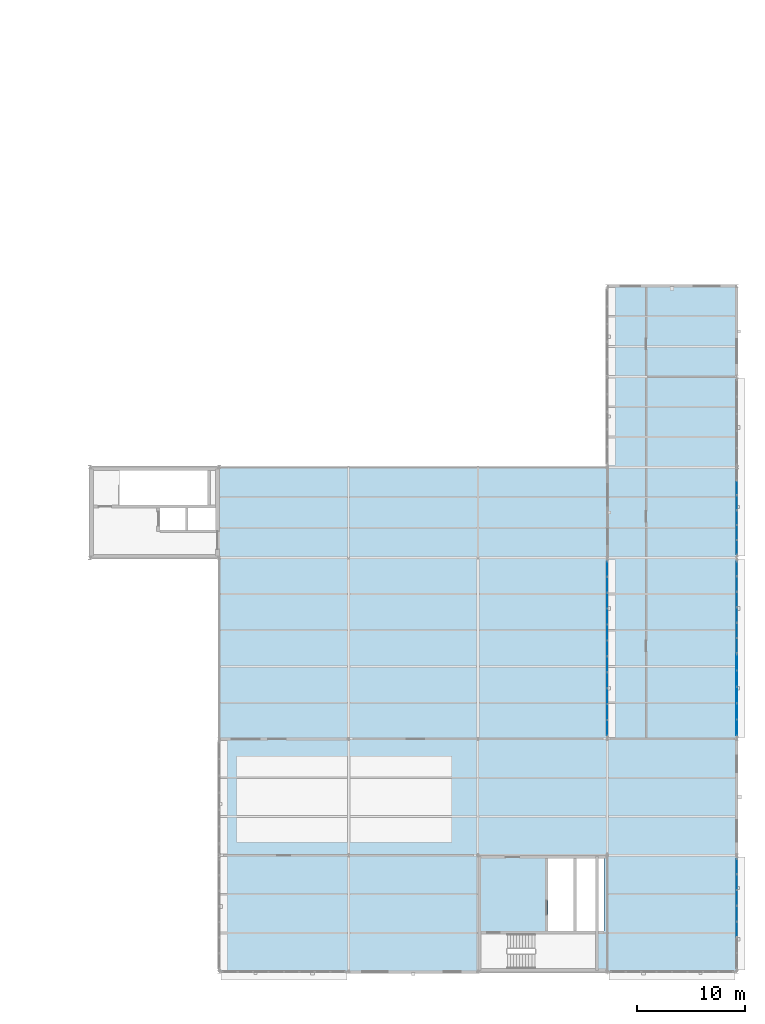
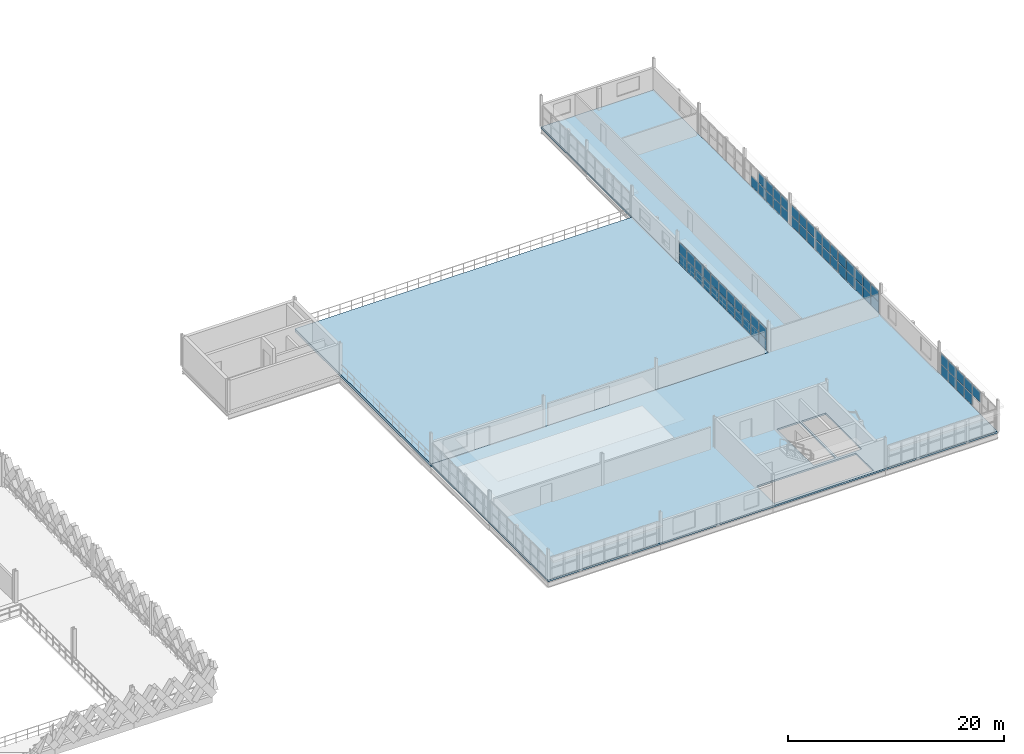
# One storey, part 49 of 74: 62 plates, 2 slabs, 5 elements without a shape of their own.
"""IFC4 building model written with IfcOpenShell, lengths in metres."""

from ifc_helpers import new_model, si_unit, direction, frame, origin, origin_2d, place, context, subcontext, project, spatial, polyline, rectangle, outline, extrude, material, layer, layer_set, type_object, element, aggregate, save


model = new_model("IFC4")

# Units and contexts
model_context = context("Model", 3, precision=1e-05, world=origin(), true_north=direction((0.0, 1.0)))
body_context = subcontext(model_context, "Body", "Model", "MODEL_VIEW")
ifc_project = project(units=[si_unit("LENGTHUNIT", "METRE"), si_unit("AREAUNIT", "SQUARE_METRE"), si_unit("VOLUMEUNIT", "CUBIC_METRE"), si_unit("PLANEANGLEUNIT", "RADIAN"), si_unit("MASSUNIT", "GRAM", prefix="KILO"), si_unit("THERMODYNAMICTEMPERATUREUNIT", "KELVIN"), si_unit("POWERUNIT", "WATT")], contexts=[model_context])

# Site, building, storey
site_placement = place(None, origin())
site = spatial("IfcSite", under=ifc_project, at=site_placement, CompositionType="ELEMENT")
building_placement = place(site_placement, origin())
building = spatial("IfcBuilding", under=site, at=building_placement, Name="Tembeka Court Mobility Hub", CompositionType="ELEMENT")
storey_placement = place(building_placement, frame((0.0, 0.0, 12.60009765625)))
storey = spatial("IfcBuildingStorey", under=building, at=storey_placement, Name="L03", CompositionType="ELEMENT", Elevation=12.60009765625)

# Curtain wall, plates
ifc_material_1 = material(Name="Anodised aluminium 6063-T6", Category="aluminium")
ifc_layer_1 = layer(ifc_material_1, 0.159912109375)
ifc_layer_set_1 = layer_set([ifc_layer_1], Name="Anodised aluminium 6063-T6")
curtain_wall_type_1 = type_object("IfcCurtainWallType", Name="CW-SYS42", PredefinedType="USERDEFINED", material=ifc_layer_set_1)
curtain_wall_1_placement = place(storey_placement, origin())
curtain_wall_1 = element("IfcCurtainWall", 1, at=curtain_wall_1_placement, inside=storey, type_object=curtain_wall_type_1, Name="Unitised curtain wall CW42 (CW-L03-135)", ObjectType="UNITISED GLAZING", PredefinedType="USERDEFINED")
ifc_material_2 = material(Name="Laminated solar-control low-E glass", Category="glass")
ifc_layer_2 = layer(ifc_material_2, 0.028076171875)
ifc_layer_set_2 = layer_set([ifc_layer_2], Name="Laminated solar-control low-E glass")
plate_type_1 = type_object("IfcPlateType", Name="PL-CW01", PredefinedType="CURTAIN_PANEL", material=ifc_layer_set_2)
plate_1_placement = place(storey_placement, frame((176.39990234375, 3.937255859375, 1.300048828125), z_axis=(0.0, 0.0, 1.0), x_axis=(0.0, 1.0, 0.0)))
plate_1 = element("IfcPlate", 2, at=plate_1_placement, type_object=plate_type_1, Name="CW42 panel 3.2", PredefinedType="CURTAIN_PANEL", context=body_context, shape_type="SweptSolid", body=[
    extrude(rectangle(XDim=1.39794921875, YDim=0.028076171875, at=origin_2d()), origin(), (0.0, 0.0, 1.0), 1.169921875),
])
plate_2_placement = place(storey_placement, frame((176.39990234375, 5.39990234375, 0.06494140625), z_axis=(0.0, 0.0, 1.0), x_axis=(0.0, 1.0, 0.0)))
plate_2 = element("IfcPlate", 3, at=plate_2_placement, type_object=plate_type_1, Name="CW42 panel 4.1", PredefinedType="CURTAIN_PANEL", context=body_context, shape_type="SweptSolid", body=[
    extrude(rectangle(XDim=1.39794921875, YDim=0.028076171875, at=origin_2d()), origin(), (0.0, 0.0, 1.0), 1.169921875),
])
plate_3_placement = place(storey_placement, frame((176.39990234375, 5.39990234375, 1.300048828125), z_axis=(0.0, 0.0, 1.0), x_axis=(0.0, 1.0, 0.0)))
plate_3 = element("IfcPlate", 4, at=plate_3_placement, type_object=plate_type_1, Name="CW42 panel 4.2", PredefinedType="CURTAIN_PANEL", context=body_context, shape_type="SweptSolid", body=[
    extrude(rectangle(XDim=1.39794921875, YDim=0.028076171875, at=origin_2d()), origin(), (0.0, 0.0, 1.0), 1.169921875),
])
plate_4_placement = place(storey_placement, frame((176.39990234375, 6.86279296875, 0.06494140625), z_axis=(0.0, 0.0, 1.0), x_axis=(0.0, 1.0, 0.0)))
plate_4 = element("IfcPlate", 5, at=plate_4_placement, type_object=plate_type_1, Name="CW42 panel 5.1", PredefinedType="CURTAIN_PANEL", context=body_context, shape_type="SweptSolid", body=[
    extrude(rectangle(XDim=1.39794921875, YDim=0.028076171875, at=origin_2d()), origin(), (0.0, 0.0, 1.0), 1.169921875),
])
plate_5_placement = place(storey_placement, frame((176.39990234375, 6.86279296875, 1.300048828125), z_axis=(0.0, 0.0, 1.0), x_axis=(0.0, 1.0, 0.0)))
plate_5 = element("IfcPlate", 6, at=plate_5_placement, type_object=plate_type_1, Name="CW42 panel 5.2", PredefinedType="CURTAIN_PANEL", context=body_context, shape_type="SweptSolid", body=[
    extrude(rectangle(XDim=1.39794921875, YDim=0.028076171875, at=origin_2d()), origin(), (0.0, 0.0, 1.0), 1.169921875),
])
plate_6_placement = place(storey_placement, frame((176.39990234375, 8.32568359375, 0.06494140625), z_axis=(0.0, 0.0, 1.0), x_axis=(0.0, 1.0, 0.0)))
plate_6 = element("IfcPlate", 7, at=plate_6_placement, type_object=plate_type_1, Name="CW42 panel 6.1", PredefinedType="CURTAIN_PANEL", context=body_context, shape_type="SweptSolid", body=[
    extrude(rectangle(XDim=1.39794921875, YDim=0.028076171875, at=origin_2d()), origin(), (0.0, 0.0, 1.0), 1.169921875),
])
plate_7_placement = place(storey_placement, frame((176.39990234375, 8.32568359375, 1.300048828125), z_axis=(0.0, 0.0, 1.0), x_axis=(0.0, 1.0, 0.0)))
plate_7 = element("IfcPlate", 8, at=plate_7_placement, type_object=plate_type_1, Name="CW42 panel 6.2", PredefinedType="CURTAIN_PANEL", context=body_context, shape_type="SweptSolid", body=[
    extrude(rectangle(XDim=1.39794921875, YDim=0.028076171875, at=origin_2d()), origin(), (0.0, 0.0, 1.0), 1.169921875),
])
plate_8_placement = place(storey_placement, frame((176.39990234375, 9.772216796875, 0.06494140625), z_axis=(0.0, 0.0, 1.0), x_axis=(0.0, 1.0, 0.0)))
plate_8 = element("IfcPlate", 9, at=plate_8_placement, type_object=plate_type_1, Name="CW42 panel 7.1", PredefinedType="CURTAIN_PANEL", context=body_context, shape_type="SweptSolid", body=[
    extrude(rectangle(XDim=1.365478515625, YDim=0.028076171875, at=origin_2d()), origin(), (0.0, 0.0, 1.0), 1.169921875),
])
plate_9_placement = place(storey_placement, frame((176.39990234375, 9.772216796875, 1.300048828125), z_axis=(0.0, 0.0, 1.0), x_axis=(0.0, 1.0, 0.0)))
plate_9 = element("IfcPlate", 10, at=plate_9_placement, type_object=plate_type_1, Name="CW42 panel 7.2", PredefinedType="CURTAIN_PANEL", context=body_context, shape_type="SweptSolid", body=[
    extrude(rectangle(XDim=1.365478515625, YDim=0.028076171875, at=origin_2d()), origin(), (0.0, 0.0, 1.0), 1.169921875),
])
aggregate(curtain_wall_1, [plate_1, plate_2, plate_3, plate_4, plate_5, plate_6, plate_7, plate_8, plate_9])

ifc_layer_3 = layer(ifc_material_1, 0.159912109375)
ifc_layer_set_3 = layer_set([ifc_layer_3], Name="Anodised aluminium 6063-T6")
curtain_wall_type_2 = type_object("IfcCurtainWallType", Name="CW-SYS52", PredefinedType="USERDEFINED", material=ifc_layer_set_3)
curtain_wall_2_placement = place(storey_placement, origin())
curtain_wall_2 = element("IfcCurtainWall", 11, at=curtain_wall_2_placement, inside=storey, type_object=curtain_wall_type_2, Name="Unitised curtain wall CW52 (CW-L03-137)", ObjectType="UNITISED GLAZING", PredefinedType="USERDEFINED")
plate_10_placement = place(storey_placement, frame((176.39990234375, 30.249267578125, 0.06494140625), z_axis=(0.0, 0.0, 1.0), x_axis=(0.0, 1.0, 0.0)))
plate_10 = element("IfcPlate", 12, at=plate_10_placement, type_object=plate_type_1, Name="CW52 panel 1.1", PredefinedType="CURTAIN_PANEL", context=body_context, shape_type="SweptSolid", body=[
    extrude(rectangle(XDim=1.33642578125, YDim=0.028076171875, at=origin_2d()), origin(), (0.0, 0.0, 1.0), 1.169921875),
])
plate_11_placement = place(storey_placement, frame((176.39990234375, 30.249267578125, 1.300048828125), z_axis=(0.0, 0.0, 1.0), x_axis=(0.0, 1.0, 0.0)))
plate_11 = element("IfcPlate", 13, at=plate_11_placement, type_object=plate_type_1, Name="CW52 panel 1.2", PredefinedType="CURTAIN_PANEL", context=body_context, shape_type="SweptSolid", body=[
    extrude(rectangle(XDim=1.33642578125, YDim=0.028076171875, at=origin_2d()), origin(), (0.0, 0.0, 1.0), 1.169921875),
])
plate_12_placement = place(storey_placement, frame((176.39990234375, 31.6669921875, 0.06494140625), z_axis=(0.0, 0.0, 1.0), x_axis=(0.0, 1.0, 0.0)))
plate_12 = element("IfcPlate", 14, at=plate_12_placement, type_object=plate_type_1, Name="CW52 panel 2.1", PredefinedType="CURTAIN_PANEL", context=body_context, shape_type="SweptSolid", body=[
    extrude(rectangle(XDim=1.368896484375, YDim=0.028076171875, at=origin_2d()), origin(), (0.0, 0.0, 1.0), 1.169921875),
])
plate_13_placement = place(storey_placement, frame((176.39990234375, 31.6669921875, 1.300048828125), z_axis=(0.0, 0.0, 1.0), x_axis=(0.0, 1.0, 0.0)))
plate_13 = element("IfcPlate", 15, at=plate_13_placement, type_object=plate_type_1, Name="CW52 panel 2.2", PredefinedType="CURTAIN_PANEL", context=body_context, shape_type="SweptSolid", body=[
    extrude(rectangle(XDim=1.368896484375, YDim=0.028076171875, at=origin_2d()), origin(), (0.0, 0.0, 1.0), 1.169921875),
])
plate_14_placement = place(storey_placement, frame((176.39990234375, 33.10107421875, 0.06494140625), z_axis=(0.0, 0.0, 1.0), x_axis=(0.0, 1.0, 0.0)))
plate_14 = element("IfcPlate", 16, at=plate_14_placement, type_object=plate_type_1, Name="CW52 panel 3.1", PredefinedType="CURTAIN_PANEL", context=body_context, shape_type="SweptSolid", body=[
    extrude(rectangle(XDim=1.368896484375, YDim=0.028076171875, at=origin_2d()), origin(), (0.0, 0.0, 1.0), 1.169921875),
])
plate_15_placement = place(storey_placement, frame((176.39990234375, 33.10107421875, 1.300048828125), z_axis=(0.0, 0.0, 1.0), x_axis=(0.0, 1.0, 0.0)))
plate_15 = element("IfcPlate", 17, at=plate_15_placement, type_object=plate_type_1, Name="CW52 panel 3.2", PredefinedType="CURTAIN_PANEL", context=body_context, shape_type="SweptSolid", body=[
    extrude(rectangle(XDim=1.368896484375, YDim=0.028076171875, at=origin_2d()), origin(), (0.0, 0.0, 1.0), 1.169921875),
])
plate_16_placement = place(storey_placement, frame((176.39990234375, 34.534912109375, 0.06494140625), z_axis=(0.0, 0.0, 1.0), x_axis=(0.0, 1.0, 0.0)))
plate_16 = element("IfcPlate", 18, at=plate_16_placement, type_object=plate_type_1, Name="CW52 panel 4.1", PredefinedType="CURTAIN_PANEL", context=body_context, shape_type="SweptSolid", body=[
    extrude(rectangle(XDim=1.368896484375, YDim=0.028076171875, at=origin_2d()), origin(), (0.0, 0.0, 1.0), 1.169921875),
])
plate_17_placement = place(storey_placement, frame((176.39990234375, 34.534912109375, 1.300048828125), z_axis=(0.0, 0.0, 1.0), x_axis=(0.0, 1.0, 0.0)))
plate_17 = element("IfcPlate", 19, at=plate_17_placement, type_object=plate_type_1, Name="CW52 panel 4.2", PredefinedType="CURTAIN_PANEL", context=body_context, shape_type="SweptSolid", body=[
    extrude(rectangle(XDim=1.368896484375, YDim=0.028076171875, at=origin_2d()), origin(), (0.0, 0.0, 1.0), 1.169921875),
])
plate_18_placement = place(storey_placement, frame((176.39990234375, 35.968994140625, 0.06494140625), z_axis=(0.0, 0.0, 1.0), x_axis=(0.0, 1.0, 0.0)))
plate_18 = element("IfcPlate", 20, at=plate_18_placement, type_object=plate_type_1, Name="CW52 panel 5.1", PredefinedType="CURTAIN_PANEL", context=body_context, shape_type="SweptSolid", body=[
    extrude(rectangle(XDim=1.368896484375, YDim=0.028076171875, at=origin_2d()), origin(), (0.0, 0.0, 1.0), 1.169921875),
])
plate_19_placement = place(storey_placement, frame((176.39990234375, 35.968994140625, 1.300048828125), z_axis=(0.0, 0.0, 1.0), x_axis=(0.0, 1.0, 0.0)))
plate_19 = element("IfcPlate", 21, at=plate_19_placement, type_object=plate_type_1, Name="CW52 panel 5.2", PredefinedType="CURTAIN_PANEL", context=body_context, shape_type="SweptSolid", body=[
    extrude(rectangle(XDim=1.368896484375, YDim=0.028076171875, at=origin_2d()), origin(), (0.0, 0.0, 1.0), 1.169921875),
])
plate_20_placement = place(storey_placement, frame((176.39990234375, 37.38671875, 0.06494140625), z_axis=(0.0, 0.0, 1.0), x_axis=(0.0, 1.0, 0.0)))
plate_20 = element("IfcPlate", 22, at=plate_20_placement, type_object=plate_type_1, Name="CW52 panel 6.1", PredefinedType="CURTAIN_PANEL", context=body_context, shape_type="SweptSolid", body=[
    extrude(rectangle(XDim=1.33642578125, YDim=0.028076171875, at=origin_2d()), origin(), (0.0, 0.0, 1.0), 1.169921875),
])
plate_21_placement = place(storey_placement, frame((176.39990234375, 37.38671875, 1.300048828125), z_axis=(0.0, 0.0, 1.0), x_axis=(0.0, 1.0, 0.0)))
plate_21 = element("IfcPlate", 23, at=plate_21_placement, type_object=plate_type_1, Name="CW52 panel 6.2", PredefinedType="CURTAIN_PANEL", context=body_context, shape_type="SweptSolid", body=[
    extrude(rectangle(XDim=1.33642578125, YDim=0.028076171875, at=origin_2d()), origin(), (0.0, 0.0, 1.0), 1.169921875),
])
aggregate(curtain_wall_2, [plate_10, plate_11, plate_12, plate_13, plate_14, plate_15, plate_16, plate_17, plate_18, plate_19, plate_20, plate_21])

ifc_layer_4 = layer(ifc_material_1, 0.159912109375)
ifc_layer_set_4 = layer_set([ifc_layer_4], Name="Anodised aluminium 6063-T6")
curtain_wall_type_3 = type_object("IfcCurtainWallType", Name="CW-SYS53", PredefinedType="USERDEFINED", material=ifc_layer_set_4)
curtain_wall_3_placement = place(storey_placement, origin())
curtain_wall_3 = element("IfcCurtainWall", 24, at=curtain_wall_3_placement, inside=storey, type_object=curtain_wall_type_3, Name="Unitised curtain wall CW53 (CW-L03-138)", ObjectType="UNITISED GLAZING", PredefinedType="USERDEFINED")
plate_22_placement = place(storey_placement, frame((176.39990234375, 39.38525390625, 0.06494140625), z_axis=(0.0, 0.0, 1.0), x_axis=(0.0, 1.0, 0.0)))
plate_22 = element("IfcPlate", 25, at=plate_22_placement, type_object=plate_type_1, Name="CW53 panel 1.1", PredefinedType="CURTAIN_PANEL", context=body_context, shape_type="SweptSolid", body=[
    extrude(rectangle(XDim=1.280517578125, YDim=0.028076171875, at=origin_2d()), origin(), (0.0, 0.0, 1.0), 1.169921875),
])
plate_23_placement = place(storey_placement, frame((176.39990234375, 39.38525390625, 1.300048828125), z_axis=(0.0, 0.0, 1.0), x_axis=(0.0, 1.0, 0.0)))
plate_23 = element("IfcPlate", 26, at=plate_23_placement, type_object=plate_type_1, Name="CW53 panel 1.2", PredefinedType="CURTAIN_PANEL", context=body_context, shape_type="SweptSolid", body=[
    extrude(rectangle(XDim=1.280517578125, YDim=0.028076171875, at=origin_2d()), origin(), (0.0, 0.0, 1.0), 1.169921875),
])
plate_24_placement = place(storey_placement, frame((176.39990234375, 40.7470703125, 0.06494140625), z_axis=(0.0, 0.0, 1.0), x_axis=(0.0, 1.0, 0.0)))
plate_24 = element("IfcPlate", 27, at=plate_24_placement, type_object=plate_type_1, Name="CW53 panel 2.1", PredefinedType="CURTAIN_PANEL", context=body_context, shape_type="SweptSolid", body=[
    extrude(rectangle(XDim=1.31298828125, YDim=0.028076171875, at=origin_2d()), origin(), (0.0, 0.0, 1.0), 1.169921875),
])
plate_25_placement = place(storey_placement, frame((176.39990234375, 40.7470703125, 1.300048828125), z_axis=(0.0, 0.0, 1.0), x_axis=(0.0, 1.0, 0.0)))
plate_25 = element("IfcPlate", 28, at=plate_25_placement, type_object=plate_type_1, Name="CW53 panel 2.2", PredefinedType="CURTAIN_PANEL", context=body_context, shape_type="SweptSolid", body=[
    extrude(rectangle(XDim=1.31298828125, YDim=0.028076171875, at=origin_2d()), origin(), (0.0, 0.0, 1.0), 1.169921875),
])
plate_26_placement = place(storey_placement, frame((176.39990234375, 42.125, 0.06494140625), z_axis=(0.0, 0.0, 1.0), x_axis=(0.0, 1.0, 0.0)))
plate_26 = element("IfcPlate", 29, at=plate_26_placement, type_object=plate_type_1, Name="CW53 panel 3.1", PredefinedType="CURTAIN_PANEL", context=body_context, shape_type="SweptSolid", body=[
    extrude(rectangle(XDim=1.31298828125, YDim=0.028076171875, at=origin_2d()), origin(), (0.0, 0.0, 1.0), 1.169921875),
])
plate_27_placement = place(storey_placement, frame((176.39990234375, 42.125, 1.300048828125), z_axis=(0.0, 0.0, 1.0), x_axis=(0.0, 1.0, 0.0)))
plate_27 = element("IfcPlate", 30, at=plate_27_placement, type_object=plate_type_1, Name="CW53 panel 3.2", PredefinedType="CURTAIN_PANEL", context=body_context, shape_type="SweptSolid", body=[
    extrude(rectangle(XDim=1.31298828125, YDim=0.028076171875, at=origin_2d()), origin(), (0.0, 0.0, 1.0), 1.169921875),
])
plate_28_placement = place(storey_placement, frame((176.39990234375, 43.5029296875, 0.06494140625), z_axis=(0.0, 0.0, 1.0), x_axis=(0.0, 1.0, 0.0)))
plate_28 = element("IfcPlate", 31, at=plate_28_placement, type_object=plate_type_1, Name="CW53 panel 4.1", PredefinedType="CURTAIN_PANEL", context=body_context, shape_type="SweptSolid", body=[
    extrude(rectangle(XDim=1.31298828125, YDim=0.028076171875, at=origin_2d()), origin(), (0.0, 0.0, 1.0), 1.169921875),
])
plate_29_placement = place(storey_placement, frame((176.39990234375, 43.5029296875, 1.300048828125), z_axis=(0.0, 0.0, 1.0), x_axis=(0.0, 1.0, 0.0)))
plate_29 = element("IfcPlate", 32, at=plate_29_placement, type_object=plate_type_1, Name="CW53 panel 4.2", PredefinedType="CURTAIN_PANEL", context=body_context, shape_type="SweptSolid", body=[
    extrude(rectangle(XDim=1.31298828125, YDim=0.028076171875, at=origin_2d()), origin(), (0.0, 0.0, 1.0), 1.169921875),
])
plate_30_placement = place(storey_placement, frame((176.39990234375, 44.881103515625, 0.06494140625), z_axis=(0.0, 0.0, 1.0), x_axis=(0.0, 1.0, 0.0)))
plate_30 = element("IfcPlate", 33, at=plate_30_placement, type_object=plate_type_1, Name="CW53 panel 5.1", PredefinedType="CURTAIN_PANEL", context=body_context, shape_type="SweptSolid", body=[
    extrude(rectangle(XDim=1.31298828125, YDim=0.028076171875, at=origin_2d()), origin(), (0.0, 0.0, 1.0), 1.169921875),
])
aggregate(curtain_wall_3, [plate_22, plate_23, plate_24, plate_25, plate_26, plate_27, plate_28, plate_29, plate_30])

ifc_layer_5 = layer(ifc_material_1, 0.159912109375)
ifc_layer_set_5 = layer_set([ifc_layer_5], Name="Anodised aluminium 6063-T6")
curtain_wall_type_4 = type_object("IfcCurtainWallType", Name="CW-SYS46", PredefinedType="USERDEFINED", material=ifc_layer_set_5)
curtain_wall_4_placement = place(storey_placement, origin())
curtain_wall_4 = element("IfcCurtainWall", 34, at=curtain_wall_4_placement, inside=storey, type_object=curtain_wall_type_4, Name="Unitised curtain wall CW46 (CW-L03-141)", ObjectType="UNITISED GLAZING", PredefinedType="USERDEFINED")
plate_31_placement = place(storey_placement, frame((164.39990234375, 22.634521484375, 0.06494140625), z_axis=(0.0, 0.0, 1.0), x_axis=(0.0, 1.0, 0.0)))
plate_31 = element("IfcPlate", 35, at=plate_31_placement, type_object=plate_type_1, Name="CW46 panel 1.1", PredefinedType="CURTAIN_PANEL", context=body_context, shape_type="SweptSolid", body=[
    extrude(rectangle(XDim=1.37890625, YDim=0.028076171875, at=origin_2d()), origin(), (0.0, 0.0, 1.0), 1.169921875),
])
plate_32_placement = place(storey_placement, frame((164.39990234375, 22.634521484375, 1.300048828125), z_axis=(0.0, 0.0, 1.0), x_axis=(0.0, 1.0, 0.0)))
plate_32 = element("IfcPlate", 36, at=plate_32_placement, type_object=plate_type_1, Name="CW46 panel 1.2", PredefinedType="CURTAIN_PANEL", context=body_context, shape_type="SweptSolid", body=[
    extrude(rectangle(XDim=1.37890625, YDim=0.028076171875, at=origin_2d()), origin(), (0.0, 0.0, 1.0), 1.169921875),
])
plate_33_placement = place(storey_placement, frame((164.39990234375, 24.094482421875, 0.06494140625), z_axis=(0.0, 0.0, 1.0), x_axis=(0.0, 1.0, 0.0)))
plate_33 = element("IfcPlate", 37, at=plate_33_placement, type_object=plate_type_1, Name="CW46 panel 2.1", PredefinedType="CURTAIN_PANEL", context=body_context, shape_type="SweptSolid", body=[
    extrude(rectangle(XDim=1.411376953125, YDim=0.028076171875, at=origin_2d()), origin(), (0.0, 0.0, 1.0), 1.169921875),
])
plate_34_placement = place(storey_placement, frame((164.39990234375, 24.094482421875, 1.300048828125), z_axis=(0.0, 0.0, 1.0), x_axis=(0.0, 1.0, 0.0)))
plate_34 = element("IfcPlate", 38, at=plate_34_placement, type_object=plate_type_1, Name="CW46 panel 2.2", PredefinedType="CURTAIN_PANEL", context=body_context, shape_type="SweptSolid", body=[
    extrude(rectangle(XDim=1.411376953125, YDim=0.028076171875, at=origin_2d()), origin(), (0.0, 0.0, 1.0), 1.169921875),
])
plate_35_placement = place(storey_placement, frame((164.39990234375, 25.57080078125, 0.06494140625), z_axis=(0.0, 0.0, 1.0), x_axis=(0.0, 1.0, 0.0)))
plate_35 = element("IfcPlate", 39, at=plate_35_placement, type_object=plate_type_1, Name="CW46 panel 3.1", PredefinedType="CURTAIN_PANEL", context=body_context, shape_type="SweptSolid", body=[
    extrude(rectangle(XDim=1.411376953125, YDim=0.028076171875, at=origin_2d()), origin(), (0.0, 0.0, 1.0), 1.169921875),
])
plate_36_placement = place(storey_placement, frame((164.39990234375, 25.57080078125, 1.300048828125), z_axis=(0.0, 0.0, 1.0), x_axis=(0.0, 1.0, 0.0)))
plate_36 = element("IfcPlate", 40, at=plate_36_placement, type_object=plate_type_1, Name="CW46 panel 3.2", PredefinedType="CURTAIN_PANEL", context=body_context, shape_type="SweptSolid", body=[
    extrude(rectangle(XDim=1.411376953125, YDim=0.028076171875, at=origin_2d()), origin(), (0.0, 0.0, 1.0), 1.169921875),
])
plate_37_placement = place(storey_placement, frame((164.39990234375, 27.04736328125, 0.06494140625), z_axis=(0.0, 0.0, 1.0), x_axis=(0.0, 1.0, 0.0)))
plate_37 = element("IfcPlate", 41, at=plate_37_placement, type_object=plate_type_1, Name="CW46 panel 4.1", PredefinedType="CURTAIN_PANEL", context=body_context, shape_type="SweptSolid", body=[
    extrude(rectangle(XDim=1.411376953125, YDim=0.028076171875, at=origin_2d()), origin(), (0.0, 0.0, 1.0), 1.169921875),
])
plate_38_placement = place(storey_placement, frame((164.39990234375, 27.04736328125, 1.300048828125), z_axis=(0.0, 0.0, 1.0), x_axis=(0.0, 1.0, 0.0)))
plate_38 = element("IfcPlate", 42, at=plate_38_placement, type_object=plate_type_1, Name="CW46 panel 4.2", PredefinedType="CURTAIN_PANEL", context=body_context, shape_type="SweptSolid", body=[
    extrude(rectangle(XDim=1.411376953125, YDim=0.028076171875, at=origin_2d()), origin(), (0.0, 0.0, 1.0), 1.169921875),
])
plate_39_placement = place(storey_placement, frame((164.39990234375, 28.523681640625, 0.06494140625), z_axis=(0.0, 0.0, 1.0), x_axis=(0.0, 1.0, 0.0)))
plate_39 = element("IfcPlate", 43, at=plate_39_placement, type_object=plate_type_1, Name="CW46 panel 5.1", PredefinedType="CURTAIN_PANEL", context=body_context, shape_type="SweptSolid", body=[
    extrude(rectangle(XDim=1.411376953125, YDim=0.028076171875, at=origin_2d()), origin(), (0.0, 0.0, 1.0), 1.169921875),
])
plate_40_placement = place(storey_placement, frame((164.39990234375, 28.523681640625, 1.300048828125), z_axis=(0.0, 0.0, 1.0), x_axis=(0.0, 1.0, 0.0)))
plate_40 = element("IfcPlate", 44, at=plate_40_placement, type_object=plate_type_1, Name="CW46 panel 5.2", PredefinedType="CURTAIN_PANEL", context=body_context, shape_type="SweptSolid", body=[
    extrude(rectangle(XDim=1.411376953125, YDim=0.028076171875, at=origin_2d()), origin(), (0.0, 0.0, 1.0), 1.169921875),
])
plate_41_placement = place(storey_placement, frame((164.39990234375, 30.0, 0.06494140625), z_axis=(0.0, 0.0, 1.0), x_axis=(0.0, 1.0, 0.0)))
plate_41 = element("IfcPlate", 45, at=plate_41_placement, type_object=plate_type_1, Name="CW46 panel 6.1", PredefinedType="CURTAIN_PANEL", context=body_context, shape_type="SweptSolid", body=[
    extrude(rectangle(XDim=1.411376953125, YDim=0.028076171875, at=origin_2d()), origin(), (0.0, 0.0, 1.0), 1.169921875),
])
plate_42_placement = place(storey_placement, frame((164.39990234375, 30.0, 1.300048828125), z_axis=(0.0, 0.0, 1.0), x_axis=(0.0, 1.0, 0.0)))
plate_42 = element("IfcPlate", 46, at=plate_42_placement, type_object=plate_type_1, Name="CW46 panel 6.2", PredefinedType="CURTAIN_PANEL", context=body_context, shape_type="SweptSolid", body=[
    extrude(rectangle(XDim=1.411376953125, YDim=0.028076171875, at=origin_2d()), origin(), (0.0, 0.0, 1.0), 1.169921875),
])
plate_43_placement = place(storey_placement, frame((164.39990234375, 31.476318359375, 0.06494140625), z_axis=(0.0, 0.0, 1.0), x_axis=(0.0, 1.0, 0.0)))
plate_43 = element("IfcPlate", 47, at=plate_43_placement, type_object=plate_type_1, Name="CW46 panel 7.1", PredefinedType="CURTAIN_PANEL", context=body_context, shape_type="SweptSolid", body=[
    extrude(rectangle(XDim=1.411376953125, YDim=0.028076171875, at=origin_2d()), origin(), (0.0, 0.0, 1.0), 1.169921875),
])
plate_44_placement = place(storey_placement, frame((164.39990234375, 31.476318359375, 1.300048828125), z_axis=(0.0, 0.0, 1.0), x_axis=(0.0, 1.0, 0.0)))
plate_44 = element("IfcPlate", 48, at=plate_44_placement, type_object=plate_type_1, Name="CW46 panel 7.2", PredefinedType="CURTAIN_PANEL", context=body_context, shape_type="SweptSolid", body=[
    extrude(rectangle(XDim=1.411376953125, YDim=0.028076171875, at=origin_2d()), origin(), (0.0, 0.0, 1.0), 1.169921875),
])
plate_45_placement = place(storey_placement, frame((164.39990234375, 32.95263671875, 0.06494140625), z_axis=(0.0, 0.0, 1.0), x_axis=(0.0, 1.0, 0.0)))
plate_45 = element("IfcPlate", 49, at=plate_45_placement, type_object=plate_type_1, Name="CW46 panel 8.1", PredefinedType="CURTAIN_PANEL", context=body_context, shape_type="SweptSolid", body=[
    extrude(rectangle(XDim=1.411376953125, YDim=0.028076171875, at=origin_2d()), origin(), (0.0, 0.0, 1.0), 1.169921875),
])
plate_46_placement = place(storey_placement, frame((164.39990234375, 32.95263671875, 1.300048828125), z_axis=(0.0, 0.0, 1.0), x_axis=(0.0, 1.0, 0.0)))
plate_46 = element("IfcPlate", 50, at=plate_46_placement, type_object=plate_type_1, Name="CW46 panel 8.2", PredefinedType="CURTAIN_PANEL", context=body_context, shape_type="SweptSolid", body=[
    extrude(rectangle(XDim=1.411376953125, YDim=0.028076171875, at=origin_2d()), origin(), (0.0, 0.0, 1.0), 1.169921875),
])
plate_47_placement = place(storey_placement, frame((164.39990234375, 34.42919921875, 0.06494140625), z_axis=(0.0, 0.0, 1.0), x_axis=(0.0, 1.0, 0.0)))
plate_47 = element("IfcPlate", 51, at=plate_47_placement, type_object=plate_type_1, Name="CW46 panel 9.1", PredefinedType="CURTAIN_PANEL", context=body_context, shape_type="SweptSolid", body=[
    extrude(rectangle(XDim=1.411376953125, YDim=0.028076171875, at=origin_2d()), origin(), (0.0, 0.0, 1.0), 1.169921875),
])
plate_48_placement = place(storey_placement, frame((164.39990234375, 34.42919921875, 1.300048828125), z_axis=(0.0, 0.0, 1.0), x_axis=(0.0, 1.0, 0.0)))
plate_48 = element("IfcPlate", 52, at=plate_48_placement, type_object=plate_type_1, Name="CW46 panel 9.2", PredefinedType="CURTAIN_PANEL", context=body_context, shape_type="SweptSolid", body=[
    extrude(rectangle(XDim=1.411376953125, YDim=0.028076171875, at=origin_2d()), origin(), (0.0, 0.0, 1.0), 1.169921875),
])
plate_49_placement = place(storey_placement, frame((164.39990234375, 35.905517578125, 0.06494140625), z_axis=(0.0, 0.0, 1.0), x_axis=(0.0, 1.0, 0.0)))
plate_49 = element("IfcPlate", 53, at=plate_49_placement, type_object=plate_type_1, Name="CW46 panel 10.1", PredefinedType="CURTAIN_PANEL", context=body_context, shape_type="SweptSolid", body=[
    extrude(rectangle(XDim=1.411376953125, YDim=0.028076171875, at=origin_2d()), origin(), (0.0, 0.0, 1.0), 1.169921875),
])
plate_50_placement = place(storey_placement, frame((164.39990234375, 35.905517578125, 1.300048828125), z_axis=(0.0, 0.0, 1.0), x_axis=(0.0, 1.0, 0.0)))
plate_50 = element("IfcPlate", 54, at=plate_50_placement, type_object=plate_type_1, Name="CW46 panel 10.2", PredefinedType="CURTAIN_PANEL", context=body_context, shape_type="SweptSolid", body=[
    extrude(rectangle(XDim=1.411376953125, YDim=0.028076171875, at=origin_2d()), origin(), (0.0, 0.0, 1.0), 1.169921875),
])
plate_51_placement = place(storey_placement, frame((164.39990234375, 37.365478515625, 0.06494140625), z_axis=(0.0, 0.0, 1.0), x_axis=(0.0, 1.0, 0.0)))
plate_51 = element("IfcPlate", 55, at=plate_51_placement, type_object=plate_type_1, Name="CW46 panel 11.1", PredefinedType="CURTAIN_PANEL", context=body_context, shape_type="SweptSolid", body=[
    extrude(rectangle(XDim=1.37890625, YDim=0.028076171875, at=origin_2d()), origin(), (0.0, 0.0, 1.0), 1.169921875),
])
plate_52_placement = place(storey_placement, frame((164.39990234375, 37.365478515625, 1.300048828125), z_axis=(0.0, 0.0, 1.0), x_axis=(0.0, 1.0, 0.0)))
plate_52 = element("IfcPlate", 56, at=plate_52_placement, type_object=plate_type_1, Name="CW46 panel 11.2", PredefinedType="CURTAIN_PANEL", context=body_context, shape_type="SweptSolid", body=[
    extrude(rectangle(XDim=1.37890625, YDim=0.028076171875, at=origin_2d()), origin(), (0.0, 0.0, 1.0), 1.169921875),
])
aggregate(curtain_wall_4, [plate_31, plate_32, plate_33, plate_34, plate_35, plate_36, plate_37, plate_38, plate_39, plate_40, plate_41, plate_42, plate_43, plate_44, plate_45, plate_46, plate_47, plate_48, plate_49, plate_50, plate_51, plate_52])

ifc_layer_6 = layer(ifc_material_1, 0.159912109375)
ifc_layer_set_6 = layer_set([ifc_layer_6], Name="Anodised aluminium 6063-T6")
curtain_wall_type_5 = type_object("IfcCurtainWallType", Name="CW-SYS51", PredefinedType="USERDEFINED", material=ifc_layer_set_6)
curtain_wall_5_placement = place(storey_placement, origin())
curtain_wall_5 = element("IfcCurtainWall", 57, at=curtain_wall_5_placement, inside=storey, type_object=curtain_wall_type_5, Name="Unitised curtain wall CW51 (CW-L03-136)", ObjectType="UNITISED GLAZING", PredefinedType="USERDEFINED")
ifc_material_3 = material(Name="Insulated aluminium spandrel panel", Category="aluminium")
ifc_layer_7 = layer(ifc_material_3, 0.052001953125)
ifc_layer_set_7 = layer_set([ifc_layer_7], Name="Insulated aluminium spandrel panel")
plate_type_2 = type_object("IfcPlateType", Name="PL-CW02", PredefinedType="CURTAIN_PANEL", material=ifc_layer_set_7)
plate_53_placement = place(storey_placement, frame((176.39990234375, 22.65576171875, 0.06494140625), z_axis=(0.0, 0.0, 1.0), x_axis=(0.0, 1.0, 0.0)))
plate_53 = element("IfcPlate", 58, at=plate_53_placement, type_object=plate_type_2, Name="CW51 panel 1.1", PredefinedType="CURTAIN_PANEL", context=body_context, shape_type="SweptSolid", body=[
    extrude(rectangle(XDim=1.421630859375, YDim=0.052001953125, at=origin_2d()), origin(), (0.0, 0.0, 1.0), 1.169921875),
])
plate_54_placement = place(storey_placement, frame((176.39990234375, 22.65576171875, 1.300048828125), z_axis=(0.0, 0.0, 1.0), x_axis=(0.0, 1.0, 0.0)))
plate_54 = element("IfcPlate", 59, at=plate_54_placement, type_object=plate_type_2, Name="CW51 panel 1.2", PredefinedType="CURTAIN_PANEL", context=body_context, shape_type="SweptSolid", body=[
    extrude(rectangle(XDim=1.421630859375, YDim=0.052001953125, at=origin_2d()), origin(), (0.0, 0.0, 1.0), 1.169921875),
])
plate_55_placement = place(storey_placement, frame((176.39990234375, 24.15869140625, 0.06494140625), z_axis=(0.0, 0.0, 1.0), x_axis=(0.0, 1.0, 0.0)))
plate_55 = element("IfcPlate", 60, at=plate_55_placement, type_object=plate_type_2, Name="CW51 panel 2.1", PredefinedType="CURTAIN_PANEL", context=body_context, shape_type="SweptSolid", body=[
    extrude(rectangle(XDim=1.4541015625, YDim=0.052001953125, at=origin_2d()), origin(), (0.0, 0.0, 1.0), 1.169921875),
])
plate_56_placement = place(storey_placement, frame((176.39990234375, 24.15869140625, 1.300048828125), z_axis=(0.0, 0.0, 1.0), x_axis=(0.0, 1.0, 0.0)))
plate_56 = element("IfcPlate", 61, at=plate_56_placement, type_object=plate_type_2, Name="CW51 panel 2.2", PredefinedType="CURTAIN_PANEL", context=body_context, shape_type="SweptSolid", body=[
    extrude(rectangle(XDim=1.4541015625, YDim=0.052001953125, at=origin_2d()), origin(), (0.0, 0.0, 1.0), 1.169921875),
])
plate_57_placement = place(storey_placement, frame((176.39990234375, 25.677978515625, 0.06494140625), z_axis=(0.0, 0.0, 1.0), x_axis=(0.0, 1.0, 0.0)))
plate_57 = element("IfcPlate", 62, at=plate_57_placement, type_object=plate_type_2, Name="CW51 panel 3.1", PredefinedType="CURTAIN_PANEL", context=body_context, shape_type="SweptSolid", body=[
    extrude(rectangle(XDim=1.4541015625, YDim=0.052001953125, at=origin_2d()), origin(), (0.0, 0.0, 1.0), 1.169921875),
])
plate_58_placement = place(storey_placement, frame((176.39990234375, 25.677978515625, 1.300048828125), z_axis=(0.0, 0.0, 1.0), x_axis=(0.0, 1.0, 0.0)))
plate_58 = element("IfcPlate", 63, at=plate_58_placement, type_object=plate_type_2, Name="CW51 panel 3.2", PredefinedType="CURTAIN_PANEL", context=body_context, shape_type="SweptSolid", body=[
    extrude(rectangle(XDim=1.4541015625, YDim=0.052001953125, at=origin_2d()), origin(), (0.0, 0.0, 1.0), 1.169921875),
])
plate_59_placement = place(storey_placement, frame((176.39990234375, 27.197265625, 0.06494140625), z_axis=(0.0, 0.0, 1.0), x_axis=(0.0, 1.0, 0.0)))
plate_59 = element("IfcPlate", 64, at=plate_59_placement, type_object=plate_type_2, Name="CW51 panel 4.1", PredefinedType="CURTAIN_PANEL", context=body_context, shape_type="SweptSolid", body=[
    extrude(rectangle(XDim=1.4541015625, YDim=0.052001953125, at=origin_2d()), origin(), (0.0, 0.0, 1.0), 1.169921875),
])
plate_60_placement = place(storey_placement, frame((176.39990234375, 27.197265625, 1.300048828125), z_axis=(0.0, 0.0, 1.0), x_axis=(0.0, 1.0, 0.0)))
plate_60 = element("IfcPlate", 65, at=plate_60_placement, type_object=plate_type_2, Name="CW51 panel 4.2", PredefinedType="CURTAIN_PANEL", context=body_context, shape_type="SweptSolid", body=[
    extrude(rectangle(XDim=1.4541015625, YDim=0.052001953125, at=origin_2d()), origin(), (0.0, 0.0, 1.0), 1.169921875),
])
plate_61_placement = place(storey_placement, frame((176.39990234375, 28.7001953125, 0.06494140625), z_axis=(0.0, 0.0, 1.0), x_axis=(0.0, 1.0, 0.0)))
plate_61 = element("IfcPlate", 66, at=plate_61_placement, type_object=plate_type_2, Name="CW51 panel 5.1", PredefinedType="CURTAIN_PANEL", context=body_context, shape_type="SweptSolid", body=[
    extrude(rectangle(XDim=1.421630859375, YDim=0.052001953125, at=origin_2d()), origin(), (0.0, 0.0, 1.0), 1.169921875),
])
plate_62_placement = place(storey_placement, frame((176.39990234375, 28.7001953125, 1.300048828125), z_axis=(0.0, 0.0, 1.0), x_axis=(0.0, 1.0, 0.0)))
plate_62 = element("IfcPlate", 67, at=plate_62_placement, type_object=plate_type_2, Name="CW51 panel 5.2", PredefinedType="CURTAIN_PANEL", context=body_context, shape_type="SweptSolid", body=[
    extrude(rectangle(XDim=1.421630859375, YDim=0.052001953125, at=origin_2d()), origin(), (0.0, 0.0, 1.0), 1.169921875),
])
aggregate(curtain_wall_5, [plate_53, plate_54, plate_55, plate_56, plate_57, plate_58, plate_59, plate_60, plate_61, plate_62])

# Slabs
ifc_material_4 = material(Name="Concrete C40/50", Category="concrete")
ifc_layer_8 = layer(ifc_material_4, 0.18994140625)
ifc_layer_set_8 = layer_set([ifc_layer_8], Name="Concrete C40/50")
slab_type_1 = type_object("IfcSlabType", Name="SL-FL03", PredefinedType="FLOOR", material=ifc_layer_set_8)
slab_1_placement = place(storey_placement, frame((0.0, 0.0, -0.190185546875)))
element("IfcSlab", 68, at=slab_1_placement, inside=storey, type_object=slab_type_1, Name="L03 transit control and driver welfare slab", PredefinedType="FLOOR", context=body_context, shape_type="SweptSolid", body=[
    extrude(outline(polyline([(128.39990234375, 0.0), (176.39990234375, 0.0), (176.39990234375, 63.60009765625), (164.39990234375, 63.60009765625), (164.39990234375, 21.60009765625), (128.39990234375, 21.60009765625), (128.39990234375, 0.0)]), holes=[polyline([(152.699951171875, 3.5), (163.300048828125, 3.5), (163.300048828125, 0.300048828125), (152.699951171875, 0.300048828125), (152.699951171875, 3.5)]), polyline([(158.89990234375, 10.5), (161.300048828125, 10.5), (161.300048828125, 3.800048828125), (158.89990234375, 3.800048828125), (158.89990234375, 10.5)]), polyline([(161.5, 10.5), (164.10009765625, 10.5), (164.10009765625, 3.800048828125), (161.5, 3.800048828125), (161.5, 10.5)])]), origin(), (0.0, 0.0, 1.0), 0.190185546875),
])
ifc_layer_9 = layer(ifc_material_4, 0.320068359375)
ifc_layer_set_9 = layer_set([ifc_layer_9], Name="Concrete C40/50")
slab_type_2 = type_object("IfcSlabType", Name="SL-TR01", PredefinedType="FLOOR", material=ifc_layer_set_9)
slab_2_placement = place(storey_placement, frame((0.0, 0.0, -0.320068359375)))
element("IfcSlab", 69, at=slab_2_placement, inside=storey, type_object=slab_type_2, Name="L03 bicycle wing planted roof garden terrace", PredefinedType="FLOOR", context=body_context, shape_type="SweptSolid", body=[
    extrude(outline(polyline([(128.39990234375, 21.60009765625), (164.39990234375, 21.60009765625), (164.39990234375, 46.800048828125), (128.39990234375, 46.800048828125), (128.39990234375, 21.60009765625)])), origin(), (0.0, 0.0, 1.0), 0.320068359375),
])

save(model, "model.ifc")
